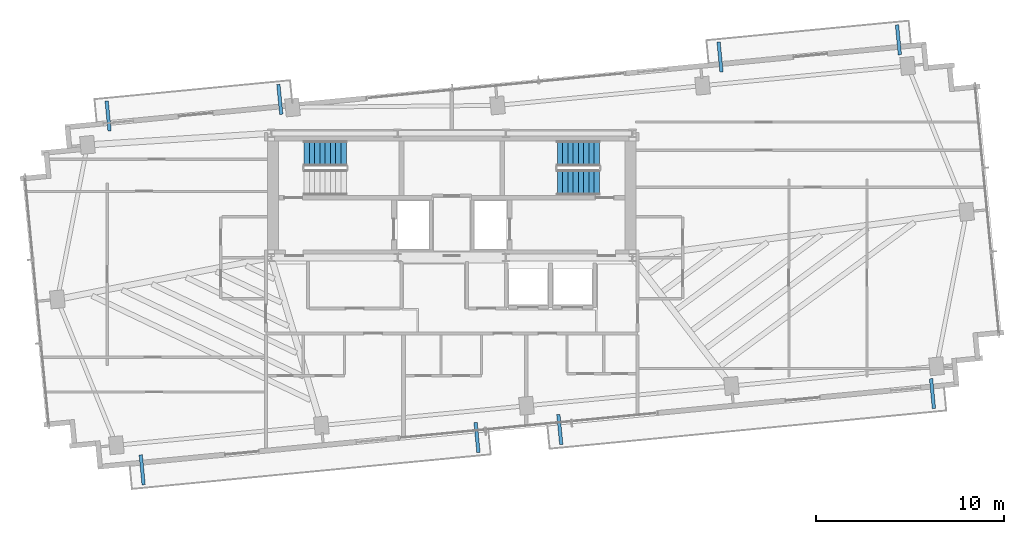
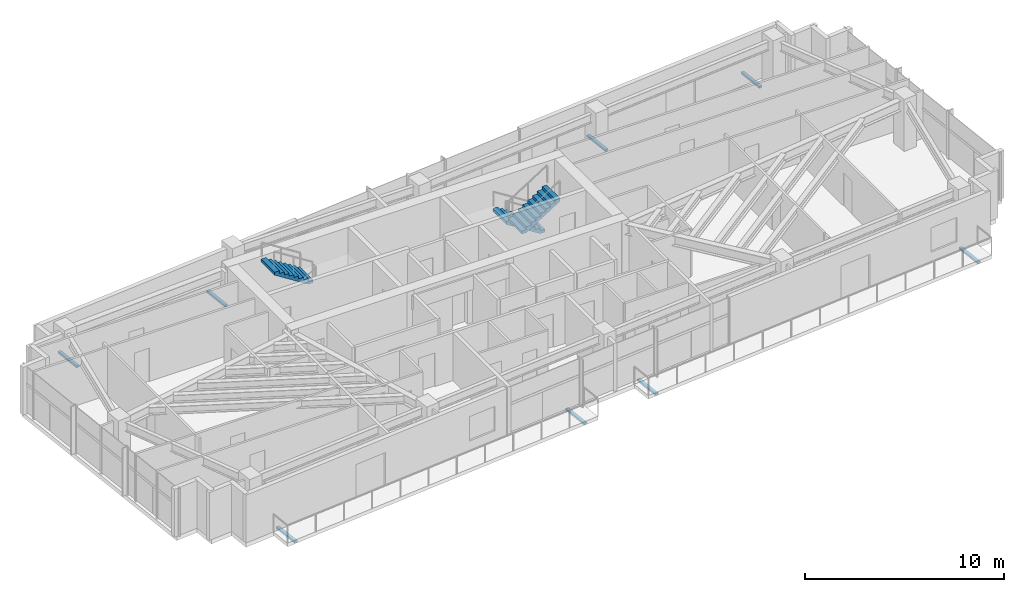
# One storey, part 16 of 18: 8 discrete accessories, 3 stair flights, 2 elements without a shape of their own.
"""IFC4 building model written with IfcOpenShell, lengths in metres."""

from ifc_helpers import new_model, si_unit, direction, frame, origin, origin_2d, place, context, subcontext, project, spatial, polyline, rectangle, outline, extrude, source, transform, mapped, material, type_object, type_shapes, element, aggregate, save


model = new_model("IFC4")

# Units and contexts
model_context = context("Model", 3, precision=1e-05, world=origin(), true_north=direction((0.0, 1.0)))
body_context = subcontext(model_context, "Body", "Model", "MODEL_VIEW")
ifc_project = project(units=[si_unit("LENGTHUNIT", "METRE"), si_unit("AREAUNIT", "SQUARE_METRE"), si_unit("VOLUMEUNIT", "CUBIC_METRE"), si_unit("PLANEANGLEUNIT", "RADIAN"), si_unit("MASSUNIT", "GRAM", prefix="KILO")], contexts=[model_context])

# Site, building, storey
site_placement = place(None, origin())
site = spatial("IfcSite", under=ifc_project, at=site_placement, CompositionType="ELEMENT")
building_placement = place(site_placement, origin())
building = spatial("IfcBuilding", under=site, at=building_placement, Name="Astriad Promenade Condominiums", CompositionType="ELEMENT")
storey_placement = place(building_placement, frame((0.0, 0.0, 201.800048828125)))
storey = spatial("IfcBuildingStorey", under=building, at=storey_placement, Name="L58", CompositionType="ELEMENT", Elevation=201.800048828125)

# Stair, stair flight
ifc_material_1 = material(Name="Concrete C50/60", Category="concrete")
stair_type = type_object("IfcStairType", Name="STR-CORE-1350", PredefinedType="HALF_TURN_STAIR", material=ifc_material_1)
stair_1_placement = place(storey_placement, origin())
stair_1 = element("IfcStair", 1, at=stair_1_placement, inside=storey, type_object=stair_type, Name="L58 Enclosed Core Exit Stair ST-1", PredefinedType="HALF_TURN_STAIR")
stair_flight_type = type_object("IfcStairFlightType", Name="SFL-CORE-1350", PredefinedType="STRAIGHT", material=ifc_material_1)
shared_shape_1 = source(origin(), body_context, "Body", "SweptSolid", [
    extrude(outline(polyline([(0.0, 0.0), (0.0, 0.177734375), (0.280029296875, 0.177734375), (0.280029296875, 0.35546875), (0.56005859375, 0.35546875), (0.56005859375, 0.533447265625), (0.840087890625, 0.533447265625), (0.840087890625, 0.711181640625), (1.1201171875, 0.711181640625), (1.1201171875, 0.888916015625), (1.39990234375, 0.888916015625), (1.39990234375, 1.066650390625), (1.679931640625, 1.066650390625), (1.679931640625, 1.244384765625), (1.9599609375, 1.244384765625), (1.9599609375, 1.422119140625), (2.239990234375, 1.422119140625), (2.239990234375, 1.60009765625), (2.239990234375, 1.24462890625), (0.27978515625, 0.0), (0.0, 0.0)])), frame((0.0, 0.675048828125, 0.0), z_axis=(0.0, -1.0, 0.0), x_axis=(1.0, 0.0, 0.0)), (0.0, 0.0, 1.0), 1.35009765625),
])
type_shapes(stair_flight_type, [shared_shape_1])
stair_flight_1_placement = place(storey_placement, frame((30.389892578125, 22.925048828125, 1.599853515625), z_axis=(0.0, 0.0, 1.0), x_axis=(-1.0, 0.0, 0.0)))
stair_flight_1 = element("IfcStairFlight", 2, at=stair_flight_1_placement, type_object=stair_flight_type, Name="ST-1 flight 2", NumberOfRisers=9, NumberOfTreads=8, PredefinedType="STRAIGHT", RiserHeight=0.177777778, TreadLength=0.28, context=body_context, shape_type="MappedRepresentation", body=[
    mapped(shared_shape_1, transform((0.0, 0.0, 0.0), scale=1.0)),
])
aggregate(stair_1, [stair_flight_1])

# Stair, stair flights
stair_2_placement = place(storey_placement, origin())
stair_2 = element("IfcStair", 3, at=stair_2_placement, inside=storey, type_object=stair_type, Name="L58 Enclosed Core Exit Stair ST-2", PredefinedType="HALF_TURN_STAIR")
stair_flight_2_placement = place(storey_placement, frame((43.85009765625, 22.925048828125, 0.0), z_axis=(0.0, 0.0, 1.0), x_axis=(-1.0, 0.0, 0.0)))
stair_flight_2 = element("IfcStairFlight", 4, at=stair_flight_2_placement, type_object=stair_flight_type, Name="ST-2 flight 1", NumberOfRisers=9, NumberOfTreads=8, PredefinedType="STRAIGHT", RiserHeight=0.177777778, TreadLength=0.28, context=body_context, shape_type="MappedRepresentation", body=[
    mapped(shared_shape_1, transform((0.0, 0.0, 0.0), scale=1.0)),
])
stair_flight_3_placement = place(storey_placement, frame((41.610107421875, 21.375, 1.599853515625), z_axis=(0.0, 0.0, 1.0), x_axis=(1.0, 0.0, 0.0)))
stair_flight_3 = element("IfcStairFlight", 5, at=stair_flight_3_placement, type_object=stair_flight_type, Name="ST-2 flight 2", NumberOfRisers=9, NumberOfTreads=8, PredefinedType="STRAIGHT", RiserHeight=0.177777778, TreadLength=0.28, context=body_context, shape_type="MappedRepresentation", body=[
    mapped(shared_shape_1, transform((0.0, 0.0, 0.0), scale=1.0)),
])
aggregate(stair_2, [stair_flight_2, stair_flight_3])

# Discrete accessories
ifc_material_2 = material(Name="Steel ASTM A572 Grade 50", Category="steel")
discrete_accessory_type = type_object("IfcDiscreteAccessoryType", Name="STEEL BALCONY OUTRIGGER BRACKET", PredefinedType="BRACKET", material=ifc_material_2)
shared_shape_2 = source(origin(), body_context, "Body", "SweptSolid", [
    extrude(rectangle(XDim=1.60009765625, YDim=0.179931640625, at=origin_2d()), origin(), (0.0, 0.0, 1.0), 0.1220703125),
])
type_shapes(discrete_accessory_type, [shared_shape_2])
for number, where, z_axis, x_axis, name in (
    (6, (19.541015625, 6.11328125, -0.340087890625), (0.0, 0.0, 1.0), (0.09584575252, -0.995396198367, 0.0), "Balcony Outrigger Bracket BAL-L58-SW-A"),
    (7, (37.340576171875, 7.8271484375, -0.340087890625), (0.0, 0.0, 1.0), (0.09584575252, -0.995396198367, 0.0), "Balcony Outrigger Bracket BAL-L58-SW-B"),
    (8, (41.7421875, 8.251220703125, -0.340087890625), (0.0, 0.0, 1.0), (0.09584575252, -0.995396198367, 0.0), "Balcony Outrigger Bracket BAL-L58-SE-A"),
    (9, (61.553466796875, 10.15869140625, -0.340087890625), (0.0, 0.0, 1.0), (0.09584575252, -0.995396198367, 0.0), "Balcony Outrigger Bracket BAL-L58-SE-B"),
    (10, (17.7294921875, 24.92626953125, -0.340087890625), (0.0, 0.0, 1.0), (-0.09584575252, 0.995396198367, 0.0), "Balcony Outrigger Bracket BAL-L58-NW-A"),
    (11, (26.857177734375, 25.80517578125, -0.340087890625), (0.0, 0.0, 1.0), (-0.09584575252, 0.995396198367, 0.0), "Balcony Outrigger Bracket BAL-L58-NW-B"),
    (12, (50.2587890625, 28.05859375, -0.340087890625), (0.0, 0.0, 1.0), (-0.09584575252, 0.995396198367, 0.0), "Balcony Outrigger Bracket BAL-L58-NE-A"),
    (13, (59.7421875, 28.9716796875, -0.340087890625), (0.0, 0.0, 1.0), (-0.09584575252, 0.995396198367, 0.0), "Balcony Outrigger Bracket BAL-L58-NE-B"),
):
    element("IfcDiscreteAccessory", number, at=place(storey_placement, frame(where, z_axis=z_axis, x_axis=x_axis)), inside=storey, type_object=discrete_accessory_type, Name=name, PredefinedType="BRACKET", context=body_context, shape_type="MappedRepresentation", body=[
        mapped(shared_shape_2, transform((0.0, 0.0, 0.0), scale=1.0)),
    ])

save(model, "model.ifc")
